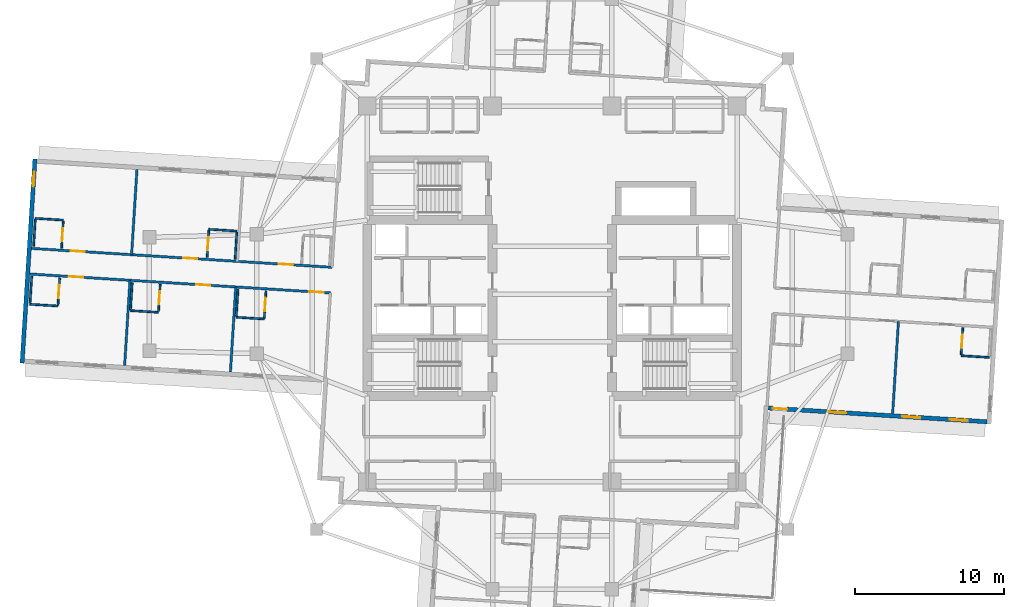
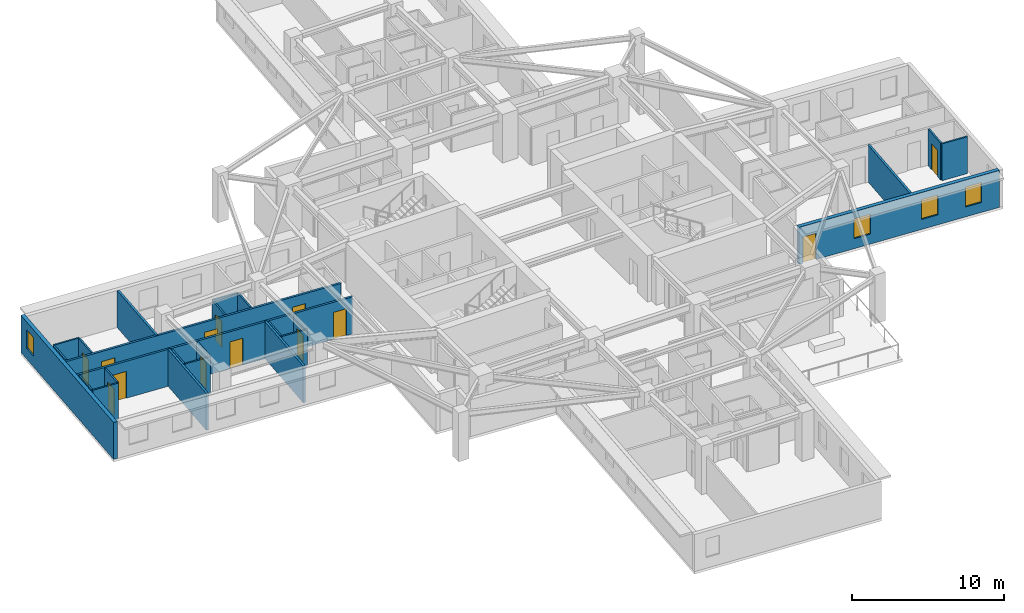
# One storey, part 5 of 14: 25 walls, 13 doors, 4 windows, 17 openings.
"""IFC4 building model written with IfcOpenShell, lengths in metres."""

from ifc_helpers import new_model, si_unit, direction, frame, frame_2d, origin, place, context, subcontext, project, spatial, rectangle, extrude, material, layer, layer_set, type_object, element, fill, save


model = new_model("IFC4")

# Units and contexts
model_context = context("Model", 3, precision=1e-05, world=origin(), true_north=direction((0.0, 1.0)))
body_context = subcontext(model_context, "Body", "Model", "MODEL_VIEW")
ifc_project = project(units=[si_unit("LENGTHUNIT", "METRE"), si_unit("AREAUNIT", "SQUARE_METRE"), si_unit("VOLUMEUNIT", "CUBIC_METRE"), si_unit("PLANEANGLEUNIT", "RADIAN"), si_unit("MASSUNIT", "GRAM", prefix="KILO")], contexts=[model_context])

# Site, building, storey
site_placement = place(None, origin())
site = spatial("IfcSite", under=ifc_project, at=site_placement, CompositionType="ELEMENT")
building_placement = place(site_placement, origin())
building = spatial("IfcBuilding", under=site, at=building_placement, Name="Qingluan Cross Belvedere", CompositionType="ELEMENT")
storey_placement = place(building_placement, frame((0.0, 0.0, 168.300048828125)))
storey = spatial("IfcBuildingStorey", under=building, at=storey_placement, Name="L42", CompositionType="ELEMENT", Elevation=168.300048828125)

# Wall
ifc_material_1 = material(Name="Gypsum plasterboard on steel stud acoustic partition", Category="steel")
ifc_layer_1 = layer(ifc_material_1, 0.159912109375, Name="CorridorPartition_160")
ifc_layer_set_1 = layer_set([ifc_layer_1], Name="Gypsum plasterboard on steel stud acoustic partition")
wall_type_1 = type_object("IfcWallType", Name="CorridorPartition_160", PredefinedType="PARTITIONING", material=ifc_layer_set_1)
wall_1_placement = place(storey_placement, frame((23.215087890625, -1.84130859375, 0.0), z_axis=(0.0, 0.0, 1.0), x_axis=(-0.062771037558, -0.998027953939, 0.0)))
element("IfcWall", 1, at=wall_1_placement, inside=storey, type_object=wall_type_1, Name="Partition L42:E:d1_0", PredefinedType="PARTITIONING", context=body_context, shape_type="SweptSolid", body=[
    extrude(rectangle(XDim=6.19189453125, YDim=0.159912109375, at=frame_2d((3.095947265625, 0.0))), origin(), (0.0, 0.0, 1.0), 2.9599609375),
])

# Wall, openings, doors
wall_2_placement = place(storey_placement, frame((-14.7666015625, 1.790771484375, 0.0), z_axis=(0.0, 0.0, 1.0), x_axis=(-0.998026414479, 0.062795509413, 0.0)))
wall_2 = element("IfcWall", 2, at=wall_2_placement, inside=storey, type_object=wall_type_1, Name="Partition L42:W:c0", PredefinedType="PARTITIONING", context=body_context, shape_type="SweptSolid", body=[
    extrude(rectangle(XDim=20.181884765625, YDim=0.159912109375, at=frame_2d((10.0908203125, 0.0))), origin(), (0.0, 0.0, 1.0), 2.9599609375),
])
opening_1_placement = place(wall_2_placement, frame((2.614990234375, 0.0, 0.0)))
opening_1 = element("IfcOpeningElement", 3, at=opening_1_placement, cuts=wall_2, Name="Opening GD-10", PredefinedType="OPENING", context=body_context, shape_type="SweptSolid", body=[
    extrude(rectangle(XDim=0.9599609375, YDim=2.14990234375, at=frame_2d((0.47998046875, 1.074951171875))), frame((0.0, 0.08984375, 0.0), z_axis=(0.0, -1.0, 0.0), x_axis=(1.0, 0.0, 0.0)), (0.0, 0.0, 1.0), 0.179931640625),
])
opening_2_placement = place(wall_2_placement, frame((9.04296875, 0.0, 0.0)))
opening_2 = element("IfcOpeningElement", 4, at=opening_2_placement, cuts=wall_2, Name="Opening GD-10", PredefinedType="OPENING", context=body_context, shape_type="SweptSolid", body=[
    extrude(rectangle(XDim=0.9599609375, YDim=2.14990234375, at=frame_2d((0.47998046875, 1.074951171875))), frame((0.0, 0.08984375, 0.0), z_axis=(0.0, -1.0, 0.0), x_axis=(1.0, 0.0, 0.0)), (0.0, 0.0, 1.0), 0.179931640625),
])
opening_3_placement = place(wall_2_placement, frame((16.594970703125, 0.0, 0.0)))
opening_3 = element("IfcOpeningElement", 5, at=opening_3_placement, cuts=wall_2, Name="Opening GD-10", PredefinedType="OPENING", context=body_context, shape_type="SweptSolid", body=[
    extrude(rectangle(XDim=0.9599609375, YDim=2.14990234375, at=frame_2d((0.47998046875, 1.074951171875))), frame((0.0, 0.08984375, 0.0), z_axis=(0.0, -1.0, 0.0), x_axis=(1.0, 0.0, 0.0)), (0.0, 0.0, 1.0), 0.179931640625),
])
ifc_material_2 = material(Name="Timber oak fire-rated acoustic guestroom door", Category="wood")
door_type_1 = type_object("IfcDoorType", Name="GuestEntryDoor_FD60", OperationType="NOTDEFINED", PredefinedType="DOOR", material=ifc_material_2)
door_1_placement = place(opening_1_placement, origin())
door_1 = element("IfcDoor", 6, at=door_1_placement, inside=storey, type_object=door_type_1, Name="Guest entry fire door 4205", OperationType="SINGLE_SWING_RIGHT", OverallHeight=2.14990234375, OverallWidth=0.9599609375, PredefinedType="DOOR", context=body_context, shape_type="SweptSolid", body=[
    extrude(rectangle(XDim=0.9599609375, YDim=2.14990234375, at=frame_2d((0.47998046875, 1.074951171875))), frame((0.0, 0.02490234375, 0.0), z_axis=(0.0, -1.0, 0.0), x_axis=(1.0, 0.0, 0.0)), (0.0, 0.0, 1.0), 0.050048828125),
])
fill(opening_1, door_1)
door_2_placement = place(opening_2_placement, origin())
door_2 = element("IfcDoor", 7, at=door_2_placement, inside=storey, type_object=door_type_1, Name="Guest entry fire door 4206", OperationType="SINGLE_SWING_RIGHT", OverallHeight=2.14990234375, OverallWidth=0.9599609375, PredefinedType="DOOR", context=body_context, shape_type="SweptSolid", body=[
    extrude(rectangle(XDim=0.9599609375, YDim=2.14990234375, at=frame_2d((0.47998046875, 1.074951171875))), frame((0.0, 0.02490234375, 0.0), z_axis=(0.0, -1.0, 0.0), x_axis=(1.0, 0.0, 0.0)), (0.0, 0.0, 1.0), 0.050048828125),
])
fill(opening_2, door_2)
door_3_placement = place(opening_3_placement, origin())
door_3 = element("IfcDoor", 8, at=door_3_placement, inside=storey, type_object=door_type_1, Name="Guest entry fire door 4207", OperationType="SINGLE_SWING_RIGHT", OverallHeight=2.14990234375, OverallWidth=0.9599609375, PredefinedType="DOOR", context=body_context, shape_type="SweptSolid", body=[
    extrude(rectangle(XDim=0.9599609375, YDim=2.14990234375, at=frame_2d((0.47998046875, 1.074951171875))), frame((0.0, 0.02490234375, 0.0), z_axis=(0.0, -1.0, 0.0), x_axis=(1.0, 0.0, 0.0)), (0.0, 0.0, 1.0), 0.050048828125),
])
fill(opening_3, door_3)

# Wall
wall_3_placement = place(storey_placement, frame((-28.197998046875, 2.6357421875, 0.0), z_axis=(0.0, 0.0, 1.0), x_axis=(0.062745498668, 0.998029559881, 0.0)))
element("IfcWall", 9, at=wall_3_placement, inside=storey, type_object=wall_type_1, Name="Partition L42:W:d0_1", PredefinedType="PARTITIONING", context=body_context, shape_type="SweptSolid", body=[
    extrude(rectangle(XDim=5.7119140625, YDim=0.159912109375, at=frame_2d((2.85595703125, 0.0))), origin(), (0.0, 0.0, 1.0), 2.9599609375),
])

# Wall, openings, doors
wall_4_placement = place(storey_placement, frame((-14.874755859375, 0.07421875, 0.0), z_axis=(0.0, 0.0, 1.0), x_axis=(-0.998027172545, 0.062783460104, 0.0)))
wall_4 = element("IfcWall", 10, at=wall_4_placement, inside=storey, type_object=wall_type_1, Name="Partition L42:W:c1", PredefinedType="PARTITIONING", context=body_context, shape_type="SweptSolid", body=[
    extrude(rectangle(XDim=20.181884765625, YDim=0.159912109375, at=frame_2d((10.0908203125, 0.0))), origin(), (0.0, 0.0, 1.0), 2.9599609375),
])
opening_4_placement = place(wall_4_placement, frame((0.449951171875, 0.0, 0.0)))
opening_4 = element("IfcOpeningElement", 11, at=opening_4_placement, cuts=wall_4, Name="Opening GD-10", PredefinedType="OPENING", context=body_context, shape_type="SweptSolid", body=[
    extrude(rectangle(XDim=0.9599609375, YDim=2.14990234375, at=frame_2d((0.47998046875, 1.074951171875))), frame((0.0, 0.08984375, 0.0), z_axis=(0.0, -1.0, 0.0), x_axis=(1.0, 0.0, 0.0)), (0.0, 0.0, 1.0), 0.179931640625),
])
opening_5_placement = place(wall_4_placement, frame((8.054931640625, 0.0, 0.0)))
opening_5 = element("IfcOpeningElement", 12, at=opening_5_placement, cuts=wall_4, Name="Opening GD-10", PredefinedType="OPENING", context=body_context, shape_type="SweptSolid", body=[
    extrude(rectangle(XDim=0.9599609375, YDim=2.14990234375, at=frame_2d((0.47998046875, 1.074951171875))), frame((0.0, 0.08984375, 0.0), z_axis=(0.0, -1.0, 0.0), x_axis=(1.0, 0.0, 0.0)), (0.0, 0.0, 1.0), 0.179931640625),
])
opening_6_placement = place(wall_4_placement, frame((16.594970703125, 0.0, 0.0)))
opening_6 = element("IfcOpeningElement", 13, at=opening_6_placement, cuts=wall_4, Name="Opening GD-10", PredefinedType="OPENING", context=body_context, shape_type="SweptSolid", body=[
    extrude(rectangle(XDim=0.9599609375, YDim=2.14990234375, at=frame_2d((0.47998046875, 1.074951171875))), frame((0.0, 0.08984375, 0.0), z_axis=(0.0, -1.0, 0.0), x_axis=(1.0, 0.0, 0.0)), (0.0, 0.0, 1.0), 0.179931640625),
])
door_4_placement = place(opening_4_placement, origin())
door_4 = element("IfcDoor", 14, at=door_4_placement, inside=storey, type_object=door_type_1, Name="Guest entry fire door 4208", OperationType="SINGLE_SWING_RIGHT", OverallHeight=2.14990234375, OverallWidth=0.9599609375, PredefinedType="DOOR", context=body_context, shape_type="SweptSolid", body=[
    extrude(rectangle(XDim=0.9599609375, YDim=2.14990234375, at=frame_2d((0.47998046875, 1.074951171875))), frame((0.0, 0.02490234375, 0.0), z_axis=(0.0, -1.0, 0.0), x_axis=(1.0, 0.0, 0.0)), (0.0, 0.0, 1.0), 0.050048828125),
])
fill(opening_4, door_4)
door_5_placement = place(opening_5_placement, origin())
door_5 = element("IfcDoor", 15, at=door_5_placement, inside=storey, type_object=door_type_1, Name="Guest entry fire door 4209", OperationType="SINGLE_SWING_RIGHT", OverallHeight=2.14990234375, OverallWidth=0.9599609375, PredefinedType="DOOR", context=body_context, shape_type="SweptSolid", body=[
    extrude(rectangle(XDim=0.9599609375, YDim=2.14990234375, at=frame_2d((0.47998046875, 1.074951171875))), frame((0.0, 0.02490234375, 0.0), z_axis=(0.0, -1.0, 0.0), x_axis=(1.0, 0.0, 0.0)), (0.0, 0.0, 1.0), 0.050048828125),
])
fill(opening_5, door_5)
door_6_placement = place(opening_6_placement, origin())
door_6 = element("IfcDoor", 16, at=door_6_placement, inside=storey, type_object=door_type_1, Name="Guest entry fire door 4210", OperationType="SINGLE_SWING_RIGHT", OverallHeight=2.14990234375, OverallWidth=0.9599609375, PredefinedType="DOOR", context=body_context, shape_type="SweptSolid", body=[
    extrude(rectangle(XDim=0.9599609375, YDim=2.14990234375, at=frame_2d((0.47998046875, 1.074951171875))), frame((0.0, 0.02490234375, 0.0), z_axis=(0.0, -1.0, 0.0), x_axis=(1.0, 0.0, 0.0)), (0.0, 0.0, 1.0), 0.050048828125),
])
fill(opening_6, door_6)

# Walls
for number, where, z_axis, x_axis, name in (
    (17, (-21.215087890625, 0.472900390625, 0.0), (0.0, 0.0, 1.0), (-0.062788072387, -0.998026882386, 0.0), "Partition L42:W:d1_0"),
    (18, (-28.30615234375, 0.919189453125, 0.0), (0.0, 0.0, 1.0), (-0.062788072387, -0.998026882386, 0.0), "Partition L42:W:d1_1"),
):
    element("IfcWall", number, at=place(storey_placement, frame(where, z_axis=z_axis, x_axis=x_axis)), inside=storey, type_object=wall_type_1, Name=name, PredefinedType="PARTITIONING", context=body_context, shape_type="SweptSolid", body=[
        extrude(rectangle(XDim=5.7119140625, YDim=0.159912109375, at=frame_2d((2.85595703125, 0.0))), origin(), (0.0, 0.0, 1.0), 2.9599609375),
    ])

# Wall, opening, door
ifc_material_3 = material(Name="Moisture-resistant gypsum board lining")
ifc_layer_2 = layer(ifc_material_3, 0.1201171875, Name="EnsuiteWetPartition_120")
ifc_layer_set_2 = layer_set([ifc_layer_2], Name="Moisture-resistant gypsum board lining")
wall_type_2 = type_object("IfcWallType", Name="EnsuiteWetPartition_120", PredefinedType="PARTITIONING", material=ifc_layer_set_2)
wall_5_placement = place(storey_placement, frame((27.418701171875, -4.069580078125, 0.0), z_axis=(0.0, 0.0, 1.0), x_axis=(0.062645529196, 0.998035839873, 0.0)))
wall_5 = element("IfcWall", 19, at=wall_5_placement, inside=storey, type_object=wall_type_2, Name="Partition L42:E:bs1_1", PredefinedType="PARTITIONING", context=body_context, shape_type="SweptSolid", body=[
    extrude(rectangle(XDim=1.820068359375, YDim=0.1201171875, at=frame_2d((0.91015625, 0.0))), origin(), (0.0, 0.0, 1.0), 2.9599609375),
])
opening_7_placement = place(wall_5_placement, frame((0.469970703125, 0.0, 0.0)))
opening_7 = element("IfcOpeningElement", 20, at=opening_7_placement, cuts=wall_5, Name="Opening BD-09", PredefinedType="OPENING", context=body_context, shape_type="SweptSolid", body=[
    extrude(rectangle(XDim=0.8798828125, YDim=2.10009765625, at=frame_2d((0.43994140625, 1.050048828125))), frame((0.0, 0.070068359375, 0.0), z_axis=(0.0, -1.0, 0.0), x_axis=(1.0, 0.0, 0.0)), (0.0, 0.0, 1.0), 0.14013671875),
])
ifc_material_4 = material(Name="Moisture-sealed timber en-suite door", Category="wood")
door_type_2 = type_object("IfcDoorType", Name="BathroomDoor_880", OperationType="NOTDEFINED", PredefinedType="DOOR", material=ifc_material_4)
door_7_placement = place(opening_7_placement, origin())
door_7 = element("IfcDoor", 21, at=door_7_placement, inside=storey, type_object=door_type_2, Name="Bathroom door 4204", OperationType="SINGLE_SWING_LEFT", OverallHeight=2.10009765625, OverallWidth=0.8798828125, PredefinedType="DOOR", context=body_context, shape_type="SweptSolid", body=[
    extrude(rectangle(XDim=0.8798828125, YDim=2.10009765625, at=frame_2d((0.43994140625, 1.050048828125))), frame((0.0, 0.02490234375, 0.0), z_axis=(0.0, -1.0, 0.0), x_axis=(1.0, 0.0, 0.0)), (0.0, 0.0, 1.0), 0.050048828125),
])
fill(opening_7, door_7)

# Wall
wall_6_placement = place(storey_placement, frame((27.41455078125, -4.134521484375, 0.0), z_axis=(0.0, 0.0, 1.0), x_axis=(0.998022650819, -0.062855297722, 0.0)))
element("IfcWall", 22, at=wall_6_placement, inside=storey, type_object=wall_type_2, Name="Partition L42:E:bc1_1", PredefinedType="PARTITIONING", context=body_context, shape_type="SweptSolid", body=[
    extrude(rectangle(XDim=1.8798828125, YDim=0.1201171875, at=frame_2d((0.93994140625, 0.0))), origin(), (0.0, 0.0, 1.0), 2.9599609375),
])

# Wall, opening, door
wall_7_placement = place(storey_placement, frame((-23.13427734375, 2.45751953125, 0.0), z_axis=(0.0, 0.0, 1.0), x_axis=(0.062779145668, 0.998027443946, 0.0)))
wall_7 = element("IfcWall", 23, at=wall_7_placement, inside=storey, type_object=wall_type_2, Name="Partition L42:W:bs0_1", PredefinedType="PARTITIONING", context=body_context, shape_type="SweptSolid", body=[
    extrude(rectangle(XDim=1.820068359375, YDim=0.1201171875, at=frame_2d((0.91015625, 0.0))), origin(), (0.0, 0.0, 1.0), 2.9599609375),
])
opening_8_placement = place(wall_7_placement, frame((0.469970703125, 0.0, 0.0)))
opening_8 = element("IfcOpeningElement", 24, at=opening_8_placement, cuts=wall_7, Name="Opening BD-09", PredefinedType="OPENING", context=body_context, shape_type="SweptSolid", body=[
    extrude(rectangle(XDim=0.8798828125, YDim=2.10009765625, at=frame_2d((0.43994140625, 1.050048828125))), frame((0.0, 0.070068359375, 0.0), z_axis=(0.0, -1.0, 0.0), x_axis=(1.0, 0.0, 0.0)), (0.0, 0.0, 1.0), 0.14013671875),
])
door_8_placement = place(opening_8_placement, origin())
door_8 = element("IfcDoor", 25, at=door_8_placement, inside=storey, type_object=door_type_2, Name="Bathroom door 4206", OperationType="SINGLE_SWING_LEFT", OverallHeight=2.10009765625, OverallWidth=0.8798828125, PredefinedType="DOOR", context=body_context, shape_type="SweptSolid", body=[
    extrude(rectangle(XDim=0.8798828125, YDim=2.10009765625, at=frame_2d((0.43994140625, 1.050048828125))), frame((0.0, 0.02490234375, 0.0), z_axis=(0.0, -1.0, 0.0), x_axis=(1.0, 0.0, 0.0)), (0.0, 0.0, 1.0), 0.050048828125),
])
fill(opening_8, door_8)

# Walls
wall_8_placement = place(storey_placement, frame((-21.258056640625, 2.33935546875, 0.0), z_axis=(0.0, 0.0, 1.0), x_axis=(0.062779145668, 0.998027443946, 0.0)))
element("IfcWall", 26, at=wall_8_placement, inside=storey, type_object=wall_type_2, Name="Partition L42:W:bw0_1", PredefinedType="PARTITIONING", context=body_context, shape_type="SweptSolid", body=[
    extrude(rectangle(XDim=1.820068359375, YDim=0.1201171875, at=frame_2d((0.91015625, 0.0))), origin(), (0.0, 0.0, 1.0), 2.9599609375),
])
wall_9_placement = place(storey_placement, frame((-21.1396484375, 4.220703125, 0.0), z_axis=(0.0, 0.0, 1.0), x_axis=(-0.998031300018, 0.062717813936, 0.0)))
element("IfcWall", 27, at=wall_9_placement, inside=storey, type_object=wall_type_2, Name="Partition L42:W:bn0_1", PredefinedType="PARTITIONING", context=body_context, shape_type="SweptSolid", body=[
    extrude(rectangle(XDim=1.880126953125, YDim=0.1201171875, at=frame_2d((0.93994140625, 0.0))), origin(), (0.0, 0.0, 1.0), 2.9599609375),
])

# Wall, opening, door
wall_10_placement = place(storey_placement, frame((-32.89208984375, 3.0712890625, 0.0), z_axis=(0.0, 0.0, 1.0), x_axis=(0.062779145668, 0.998027443946, 0.0)))
wall_10 = element("IfcWall", 28, at=wall_10_placement, inside=storey, type_object=wall_type_2, Name="Partition L42:W:bs0_2", PredefinedType="PARTITIONING", context=body_context, shape_type="SweptSolid", body=[
    extrude(rectangle(XDim=1.820068359375, YDim=0.1201171875, at=frame_2d((0.91015625, 0.0))), origin(), (0.0, 0.0, 1.0), 2.9599609375),
])
opening_9_placement = place(wall_10_placement, frame((0.469970703125, 0.0, 0.0)))
opening_9 = element("IfcOpeningElement", 29, at=opening_9_placement, cuts=wall_10, Name="Opening BD-09", PredefinedType="OPENING", context=body_context, shape_type="SweptSolid", body=[
    extrude(rectangle(XDim=0.8798828125, YDim=2.10009765625, at=frame_2d((0.43994140625, 1.050048828125))), frame((0.0, 0.070068359375, 0.0), z_axis=(0.0, -1.0, 0.0), x_axis=(1.0, 0.0, 0.0)), (0.0, 0.0, 1.0), 0.14013671875),
])
door_9_placement = place(opening_9_placement, origin())
door_9 = element("IfcDoor", 30, at=door_9_placement, inside=storey, type_object=door_type_2, Name="Bathroom door 4207", OperationType="SINGLE_SWING_LEFT", OverallHeight=2.10009765625, OverallWidth=0.8798828125, PredefinedType="DOOR", context=body_context, shape_type="SweptSolid", body=[
    extrude(rectangle(XDim=0.8798828125, YDim=2.10009765625, at=frame_2d((0.43994140625, 1.050048828125))), frame((0.0, 0.02490234375, 0.0), z_axis=(0.0, -1.0, 0.0), x_axis=(1.0, 0.0, 0.0)), (0.0, 0.0, 1.0), 0.050048828125),
])
fill(opening_9, door_9)

# Walls
wall_11_placement = place(storey_placement, frame((-34.768310546875, 3.189453125, 0.0), z_axis=(0.0, 0.0, 1.0), x_axis=(0.062779145668, 0.998027443946, 0.0)))
element("IfcWall", 31, at=wall_11_placement, inside=storey, type_object=wall_type_2, Name="Partition L42:W:bw0_2", PredefinedType="PARTITIONING", context=body_context, shape_type="SweptSolid", body=[
    extrude(rectangle(XDim=1.820068359375, YDim=0.1201171875, at=frame_2d((0.91015625, 0.0))), origin(), (0.0, 0.0, 1.0), 2.9599609375),
])
wall_12_placement = place(storey_placement, frame((-32.773681640625, 4.95263671875, 0.0), z_axis=(0.0, 0.0, 1.0), x_axis=(-0.998022650819, 0.062855297722, 0.0)))
element("IfcWall", 32, at=wall_12_placement, inside=storey, type_object=wall_type_2, Name="Partition L42:W:bn0_2", PredefinedType="PARTITIONING", context=body_context, shape_type="SweptSolid", body=[
    extrude(rectangle(XDim=1.8798828125, YDim=0.1201171875, at=frame_2d((0.93994140625, 0.0))), origin(), (0.0, 0.0, 1.0), 2.9599609375),
])

# Wall, opening, door
wall_13_placement = place(storey_placement, frame((-19.30224609375, -1.611083984375, 0.0), z_axis=(0.0, 0.0, 1.0), x_axis=(0.062787551592, 0.998026915151, 0.0)))
wall_13 = element("IfcWall", 33, at=wall_13_placement, inside=storey, type_object=wall_type_2, Name="Partition L42:W:bs1_0", PredefinedType="PARTITIONING", context=body_context, shape_type="SweptSolid", body=[
    extrude(rectangle(XDim=1.81982421875, YDim=0.1201171875, at=frame_2d((0.909912109375, 0.0))), origin(), (0.0, 0.0, 1.0), 2.9599609375),
])
opening_10_placement = place(wall_13_placement, frame((0.469970703125, 0.0, 0.0)))
opening_10 = element("IfcOpeningElement", 34, at=opening_10_placement, cuts=wall_13, Name="Opening BD-09", PredefinedType="OPENING", context=body_context, shape_type="SweptSolid", body=[
    extrude(rectangle(XDim=0.8798828125, YDim=2.10009765625, at=frame_2d((0.43994140625, 1.050048828125))), frame((0.0, 0.070068359375, 0.0), z_axis=(0.0, -1.0, 0.0), x_axis=(1.0, 0.0, 0.0)), (0.0, 0.0, 1.0), 0.14013671875),
])
door_10_placement = place(opening_10_placement, origin())
door_10 = element("IfcDoor", 35, at=door_10_placement, inside=storey, type_object=door_type_2, Name="Bathroom door 4208", OperationType="SINGLE_SWING_LEFT", OverallHeight=2.10009765625, OverallWidth=0.8798828125, PredefinedType="DOOR", context=body_context, shape_type="SweptSolid", body=[
    extrude(rectangle(XDim=0.8798828125, YDim=2.10009765625, at=frame_2d((0.43994140625, 1.050048828125))), frame((0.0, 0.02490234375, 0.0), z_axis=(0.0, -1.0, 0.0), x_axis=(1.0, 0.0, 0.0)), (0.0, 0.0, 1.0), 0.050048828125),
])
fill(opening_10, door_10)

# Walls
wall_14_placement = place(storey_placement, frame((-21.178466796875, -1.4931640625, 0.0), z_axis=(0.0, 0.0, 1.0), x_axis=(0.062779145668, 0.998027443946, 0.0)))
element("IfcWall", 36, at=wall_14_placement, inside=storey, type_object=wall_type_2, Name="Partition L42:W:bw1_0", PredefinedType="PARTITIONING", context=body_context, shape_type="SweptSolid", body=[
    extrude(rectangle(XDim=1.820068359375, YDim=0.1201171875, at=frame_2d((0.91015625, 0.0))), origin(), (0.0, 0.0, 1.0), 2.9599609375),
])
wall_15_placement = place(storey_placement, frame((-19.306396484375, -1.676025390625, 0.0), z_axis=(0.0, 0.0, 1.0), x_axis=(-0.998030789148, 0.062725942896, 0.0)))
element("IfcWall", 37, at=wall_15_placement, inside=storey, type_object=wall_type_2, Name="Partition L42:W:bc1_0", PredefinedType="PARTITIONING", context=body_context, shape_type="SweptSolid", body=[
    extrude(rectangle(XDim=1.8798828125, YDim=0.1201171875, at=frame_2d((0.93994140625, 0.0))), origin(), (0.0, 0.0, 1.0), 2.9599609375),
])

# Wall, opening, door
wall_16_placement = place(storey_placement, frame((-26.393310546875, -1.1650390625, 0.0), z_axis=(0.0, 0.0, 1.0), x_axis=(0.062779145668, 0.998027443946, 0.0)))
wall_16 = element("IfcWall", 38, at=wall_16_placement, inside=storey, type_object=wall_type_2, Name="Partition L42:W:bs1_1", PredefinedType="PARTITIONING", context=body_context, shape_type="SweptSolid", body=[
    extrude(rectangle(XDim=1.820068359375, YDim=0.1201171875, at=frame_2d((0.91015625, 0.0))), origin(), (0.0, 0.0, 1.0), 2.9599609375),
])
opening_11_placement = place(wall_16_placement, frame((0.469970703125, 0.0, 0.0)))
opening_11 = element("IfcOpeningElement", 39, at=opening_11_placement, cuts=wall_16, Name="Opening BD-09", PredefinedType="OPENING", context=body_context, shape_type="SweptSolid", body=[
    extrude(rectangle(XDim=0.8798828125, YDim=2.10009765625, at=frame_2d((0.43994140625, 1.050048828125))), frame((0.0, 0.070068359375, 0.0), z_axis=(0.0, -1.0, 0.0), x_axis=(1.0, 0.0, 0.0)), (0.0, 0.0, 1.0), 0.14013671875),
])
door_11_placement = place(opening_11_placement, origin())
door_11 = element("IfcDoor", 40, at=door_11_placement, inside=storey, type_object=door_type_2, Name="Bathroom door 4209", OperationType="SINGLE_SWING_LEFT", OverallHeight=2.10009765625, OverallWidth=0.8798828125, PredefinedType="DOOR", context=body_context, shape_type="SweptSolid", body=[
    extrude(rectangle(XDim=0.8798828125, YDim=2.10009765625, at=frame_2d((0.43994140625, 1.050048828125))), frame((0.0, 0.02490234375, 0.0), z_axis=(0.0, -1.0, 0.0), x_axis=(1.0, 0.0, 0.0)), (0.0, 0.0, 1.0), 0.050048828125),
])
fill(opening_11, door_11)

# Walls
wall_17_placement = place(storey_placement, frame((-28.26953125, -1.047119140625, 0.0), z_axis=(0.0, 0.0, 1.0), x_axis=(0.062779145668, 0.998027443946, 0.0)))
element("IfcWall", 41, at=wall_17_placement, inside=storey, type_object=wall_type_2, Name="Partition L42:W:bw1_1", PredefinedType="PARTITIONING", context=body_context, shape_type="SweptSolid", body=[
    extrude(rectangle(XDim=1.820068359375, YDim=0.1201171875, at=frame_2d((0.91015625, 0.0))), origin(), (0.0, 0.0, 1.0), 2.9599609375),
])
wall_18_placement = place(storey_placement, frame((-26.397216796875, -1.22998046875, 0.0), z_axis=(0.0, 0.0, 1.0), x_axis=(-0.998023163794, 0.062847152131, 0.0)))
element("IfcWall", 42, at=wall_18_placement, inside=storey, type_object=wall_type_2, Name="Partition L42:W:bc1_1", PredefinedType="PARTITIONING", context=body_context, shape_type="SweptSolid", body=[
    extrude(rectangle(XDim=1.880126953125, YDim=0.1201171875, at=frame_2d((0.93994140625, 0.0))), origin(), (0.0, 0.0, 1.0), 2.9599609375),
])

# Wall, opening, door
wall_19_placement = place(storey_placement, frame((-33.1318359375, -0.7412109375, 0.0), z_axis=(0.0, 0.0, 1.0), x_axis=(0.062779145668, 0.998027443946, 0.0)))
wall_19 = element("IfcWall", 43, at=wall_19_placement, inside=storey, type_object=wall_type_2, Name="Partition L42:W:bs1_2", PredefinedType="PARTITIONING", context=body_context, shape_type="SweptSolid", body=[
    extrude(rectangle(XDim=1.820068359375, YDim=0.1201171875, at=frame_2d((0.91015625, 0.0))), origin(), (0.0, 0.0, 1.0), 2.9599609375),
])
opening_12_placement = place(wall_19_placement, frame((0.469970703125, 0.0, 0.0)))
opening_12 = element("IfcOpeningElement", 44, at=opening_12_placement, cuts=wall_19, Name="Opening BD-09", PredefinedType="OPENING", context=body_context, shape_type="SweptSolid", body=[
    extrude(rectangle(XDim=0.8798828125, YDim=2.10009765625, at=frame_2d((0.43994140625, 1.050048828125))), frame((0.0, 0.070068359375, 0.0), z_axis=(0.0, -1.0, 0.0), x_axis=(1.0, 0.0, 0.0)), (0.0, 0.0, 1.0), 0.14013671875),
])
door_12_placement = place(opening_12_placement, origin())
door_12 = element("IfcDoor", 45, at=door_12_placement, inside=storey, type_object=door_type_2, Name="Bathroom door 4210", OperationType="SINGLE_SWING_LEFT", OverallHeight=2.10009765625, OverallWidth=0.8798828125, PredefinedType="DOOR", context=body_context, shape_type="SweptSolid", body=[
    extrude(rectangle(XDim=0.8798828125, YDim=2.10009765625, at=frame_2d((0.43994140625, 1.050048828125))), frame((0.0, 0.02490234375, 0.0), z_axis=(0.0, -1.0, 0.0), x_axis=(1.0, 0.0, 0.0)), (0.0, 0.0, 1.0), 0.050048828125),
])
fill(opening_12, door_12)

# Walls
wall_20_placement = place(storey_placement, frame((-35.00830078125, -0.623046875, 0.0), z_axis=(0.0, 0.0, 1.0), x_axis=(0.062912758763, 0.998019030272, 0.0)))
element("IfcWall", 46, at=wall_20_placement, inside=storey, type_object=wall_type_2, Name="Partition L42:W:bw1_2", PredefinedType="PARTITIONING", context=body_context, shape_type="SweptSolid", body=[
    extrude(rectangle(XDim=1.820068359375, YDim=0.1201171875, at=frame_2d((0.91015625, 0.0))), origin(), (0.0, 0.0, 1.0), 2.9599609375),
])
wall_21_placement = place(storey_placement, frame((-33.135986328125, -0.805908203125, 0.0), z_axis=(0.0, 0.0, 1.0), x_axis=(-0.998030789148, 0.062725942896, 0.0)))
element("IfcWall", 47, at=wall_21_placement, inside=storey, type_object=wall_type_2, Name="Partition L42:W:bc1_2", PredefinedType="PARTITIONING", context=body_context, shape_type="SweptSolid", body=[
    extrude(rectangle(XDim=1.8798828125, YDim=0.1201171875, at=frame_2d((0.93994140625, 0.0))), origin(), (0.0, 0.0, 1.0), 2.9599609375),
])

# Wall, openings, windows, door
ifc_material_5 = material(Name="Precast concrete C45", Category="concrete")
ifc_layer_3 = layer(ifc_material_5, 0.280029296875, Name="PrecastFacadeWall_280")
ifc_layer_set_3 = layer_set([ifc_layer_3], Name="Precast concrete C45")
wall_type_3 = type_object("IfcWallType", Name="PrecastFacadeWall_280", PredefinedType="STANDARD", material=ifc_layer_set_3)
wall_22_placement = place(storey_placement, frame((14.488525390625, -7.644775390625, 0.0), z_axis=(0.0, 0.0, 1.0), x_axis=(0.998026448555, -0.062794967833, 0.0)))
wall_22 = element("IfcWall", 48, at=wall_22_placement, inside=storey, type_object=wall_type_3, Name="Facade wall L42-EA", PredefinedType="STANDARD", context=body_context, shape_type="SweptSolid", body=[
    extrude(rectangle(XDim=14.7001953125, YDim=0.280029296875, at=frame_2d((7.35009765625, 0.0))), origin(), (0.0, 0.0, 1.0), 2.969970703125),
])
opening_13_placement = place(wall_22_placement, frame((4.050048828125, 0.0, 0.800048828125)))
opening_13 = element("IfcOpeningElement", 49, at=opening_13_placement, cuts=wall_22, Name="Opening W-02", PredefinedType="OPENING", context=body_context, shape_type="SweptSolid", body=[
    extrude(rectangle(XDim=1.199951171875, YDim=1.60009765625, at=frame_2d((0.60009765625, 0.800048828125))), frame((0.0, 0.14990234375, 0.0), z_axis=(0.0, -1.0, 0.0), x_axis=(1.0, 0.0, 0.0)), (0.0, 0.0, 1.0), 0.300048828125),
])
opening_14_placement = place(wall_22_placement, frame((9.0, 0.0, 0.800048828125)))
opening_14 = element("IfcOpeningElement", 50, at=opening_14_placement, cuts=wall_22, Name="Opening W-02", PredefinedType="OPENING", context=body_context, shape_type="SweptSolid", body=[
    extrude(rectangle(XDim=1.199951171875, YDim=1.60009765625, at=frame_2d((0.60009765625, 0.800048828125))), frame((0.0, 0.14990234375, 0.0), z_axis=(0.0, -1.0, 0.0), x_axis=(1.0, 0.0, 0.0)), (0.0, 0.0, 1.0), 0.300048828125),
])
opening_15_placement = place(wall_22_placement, frame((12.199951171875, 0.0, 0.800048828125)))
opening_15 = element("IfcOpeningElement", 51, at=opening_15_placement, cuts=wall_22, Name="Opening W-02", PredefinedType="OPENING", context=body_context, shape_type="SweptSolid", body=[
    extrude(rectangle(XDim=1.199951171875, YDim=1.60009765625, at=frame_2d((0.60009765625, 0.800048828125))), frame((0.0, 0.14990234375, 0.0), z_axis=(0.0, -1.0, 0.0), x_axis=(1.0, 0.0, 0.0)), (0.0, 0.0, 1.0), 0.300048828125),
])
opening_16_placement = place(wall_22_placement, frame((0.300048828125, 0.0, 0.0)))
opening_16 = element("IfcOpeningElement", 52, at=opening_16_placement, cuts=wall_22, Name="Opening WD-10", PredefinedType="OPENING", context=body_context, shape_type="SweptSolid", body=[
    extrude(rectangle(XDim=0.9599609375, YDim=2.10009765625, at=frame_2d((0.47998046875, 1.050048828125))), frame((0.0, 0.14990234375, 0.0), z_axis=(0.0, -1.0, 0.0), x_axis=(1.0, 0.0, 0.0)), (0.0, 0.0, 1.0), 0.300048828125),
])
ifc_material_6 = material(Name="Thermally broken triple Low-E glass in aluminium frame", Category="aluminium")
window_type_1 = type_object("IfcWindowType", Name="TriRibbonWin_1200x1600", PartitioningType="SINGLE_PANEL", PredefinedType="WINDOW", material=ifc_material_6)
window_1_placement = place(opening_13_placement, origin())
window_1 = element("IfcWindow", 53, at=window_1_placement, inside=storey, type_object=window_type_1, Name="Ribbon window L42-EA-2", OverallHeight=1.60009765625, OverallWidth=1.199951171875, PartitioningType="SINGLE_PANEL", PredefinedType="WINDOW", context=body_context, shape_type="SweptSolid", body=[
    extrude(rectangle(XDim=1.199951171875, YDim=1.60009765625, at=frame_2d((0.60009765625, 0.800048828125))), frame((0.0, 0.030029296875, 0.0), z_axis=(0.0, -1.0, 0.0), x_axis=(1.0, 0.0, 0.0)), (0.0, 0.0, 1.0), 0.06005859375),
])
fill(opening_13, window_1)
window_2_placement = place(opening_14_placement, origin())
window_2 = element("IfcWindow", 54, at=window_2_placement, inside=storey, type_object=window_type_1, Name="Ribbon window L42-EA-3", OverallHeight=1.60009765625, OverallWidth=1.199951171875, PartitioningType="SINGLE_PANEL", PredefinedType="WINDOW", context=body_context, shape_type="SweptSolid", body=[
    extrude(rectangle(XDim=1.199951171875, YDim=1.60009765625, at=frame_2d((0.60009765625, 0.800048828125))), frame((0.0, 0.030029296875, 0.0), z_axis=(0.0, -1.0, 0.0), x_axis=(1.0, 0.0, 0.0)), (0.0, 0.0, 1.0), 0.06005859375),
])
fill(opening_14, window_2)
window_3_placement = place(opening_15_placement, origin())
window_3 = element("IfcWindow", 55, at=window_3_placement, inside=storey, type_object=window_type_1, Name="Ribbon window L42-EA-4", OverallHeight=1.60009765625, OverallWidth=1.199951171875, PartitioningType="SINGLE_PANEL", PredefinedType="WINDOW", context=body_context, shape_type="SweptSolid", body=[
    extrude(rectangle(XDim=1.199951171875, YDim=1.60009765625, at=frame_2d((0.60009765625, 0.800048828125))), frame((0.0, 0.030029296875, 0.0), z_axis=(0.0, -1.0, 0.0), x_axis=(1.0, 0.0, 0.0)), (0.0, 0.0, 1.0), 0.06005859375),
])
fill(opening_15, window_3)
ifc_material_7 = material(Name="Thermally broken aluminium and Low-E glass", Category="aluminium")
door_type_3 = type_object("IfcDoorType", Name="WinterGardenDoor_096", OperationType="NOTDEFINED", PredefinedType="DOOR", material=ifc_material_7)
door_13_placement = place(opening_16_placement, origin())
door_13 = element("IfcDoor", 56, at=door_13_placement, inside=storey, type_object=door_type_3, Name="Outdoor terrace access door L42-spi", OperationType="SINGLE_SWING_LEFT", OverallHeight=2.10009765625, OverallWidth=0.9599609375, PredefinedType="DOOR", context=body_context, shape_type="SweptSolid", body=[
    extrude(rectangle(XDim=0.9599609375, YDim=2.10009765625, at=frame_2d((0.47998046875, 1.050048828125))), frame((0.0, 0.02490234375, 0.0), z_axis=(0.0, -1.0, 0.0), x_axis=(1.0, 0.0, 0.0)), (0.0, 0.0, 1.0), 0.050048828125),
])
fill(opening_16, door_13)

# Wall, opening, window
wall_23_placement = place(storey_placement, frame((-34.6796875, 9.055419921875, 0.0), z_axis=(0.0, 0.0, 1.0), x_axis=(-0.062797041623, -0.998026318072, 0.0)))
wall_23 = element("IfcWall", 57, at=wall_23_placement, inside=storey, type_object=wall_type_3, Name="Arm tip precast facade wall L42-W", PredefinedType="STANDARD", context=body_context, shape_type="SweptSolid", body=[
    extrude(rectangle(XDim=13.719970703125, YDim=0.280029296875, at=frame_2d((6.85986328125, 0.0))), origin(), (0.0, 0.0, 1.0), 2.969970703125),
])
opening_17_placement = place(wall_23_placement, frame((0.85009765625, 0.0, 0.85009765625)))
opening_17 = element("IfcOpeningElement", 58, at=opening_17_placement, cuts=wall_23, Name="Opening W-03", PredefinedType="OPENING", context=body_context, shape_type="SweptSolid", body=[
    extrude(rectangle(XDim=1.0, YDim=1.5, at=frame_2d((0.5, 0.75))), frame((0.0, 0.14990234375, 0.0), z_axis=(0.0, -1.0, 0.0), x_axis=(1.0, 0.0, 0.0)), (0.0, 0.0, 1.0), 0.300048828125),
])
ifc_material_8 = material(Name="Thermally broken triple Low-E glass in aluminium frame", Category="aluminium")
window_type_2 = type_object("IfcWindowType", Name="TriApexWin_1000x1500", PartitioningType="SINGLE_PANEL", PredefinedType="WINDOW", material=ifc_material_8)
window_4_placement = place(opening_17_placement, origin())
window_4 = element("IfcWindow", 59, at=window_4_placement, inside=storey, type_object=window_type_2, Name="Arm tip triangular window L42-W", OverallHeight=1.5, OverallWidth=1.0, PartitioningType="SINGLE_PANEL", PredefinedType="WINDOW", context=body_context, shape_type="SweptSolid", body=[
    extrude(rectangle(XDim=1.0, YDim=1.5, at=frame_2d((0.5, 0.75))), frame((0.0, 0.030029296875, 0.0), z_axis=(0.0, -1.0, 0.0), x_axis=(1.0, 0.0, 0.0)), (0.0, 0.0, 1.0), 0.06005859375),
])
fill(opening_17, window_4)

save(model, "model.ifc")
